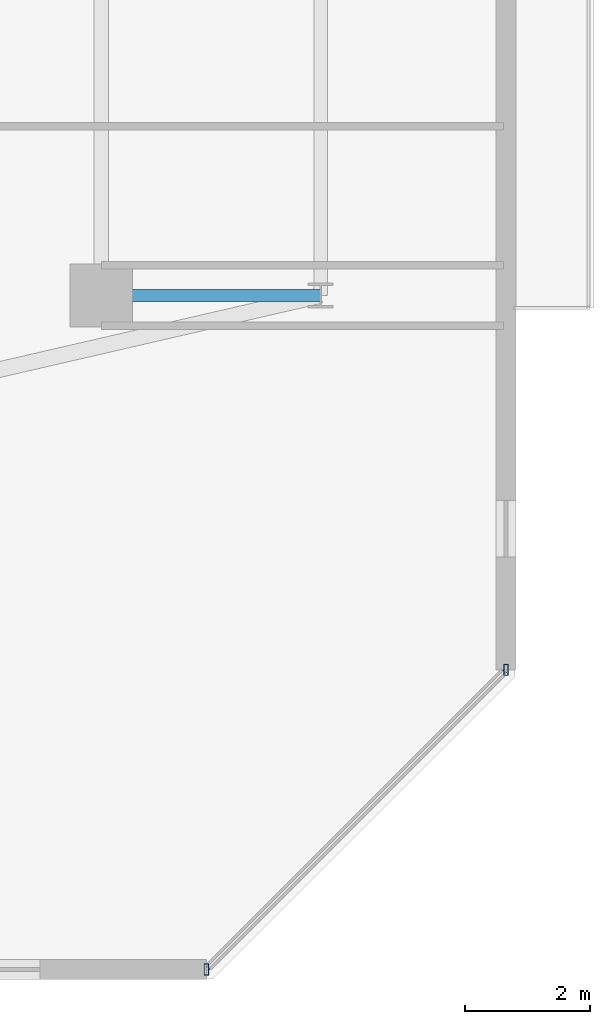
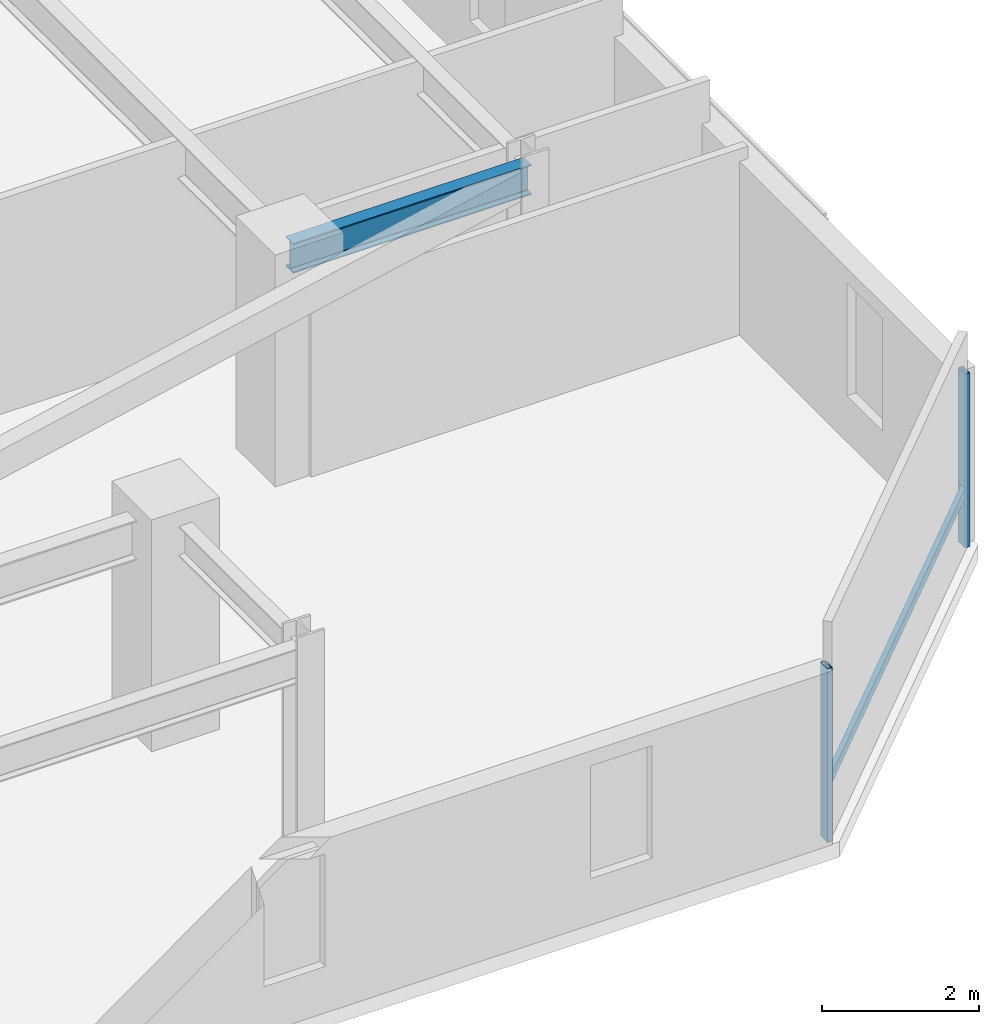
# One storey, part 12 of 32: 3 members, 1 beam, 1 element without a shape of its own.
"""IFC4 building model written with IfcOpenShell, lengths in metres."""

import ifcopenshell
import ifcopenshell.guid

model = None  # the IFC model being written
_history = None  # IfcOwnerHistory: only IFC2X3 demands one
_inside = {}  # id of a spatial element -> (the spatial element, [elements in it])
_under = {}  # id of a project, library or spatial element -> (it, [spatial elements below it])
_declared = {}  # id of a project -> (the project, [libraries it declares])
_typed = {}  # id of a type object -> (the type object, [elements of that type])
_made_of = {}  # id of a material, layer set ... -> (it, [elements and type objects made of it])


def new_model(schema):
    """Start an empty IFC model of exactly this schema.

    Asked for "IFC4X3", IfcOpenShell would pick the latest addendum, in which some entities
    have other attributes; the version numbers below select the first issue.
    IFC2X3 requires an IfcOwnerHistory on every rooted entity: one is made here for all.
    """
    global model, _history
    if schema == "IFC4X3":
        model = ifcopenshell.file(schema_version=(4, 3, 0, 0))
    else:
        model = ifcopenshell.file(schema=schema)
    _inside.clear()
    _under.clear()
    _declared.clear()
    _typed.clear()
    _made_of.clear()
    _history = None
    if model.schema == "IFC2X3":
        org = make("IfcOrganization", Name="unknown")
        user = make(
            "IfcPersonAndOrganization",
            ThePerson=make("IfcPerson", FamilyName="unknown"),
            TheOrganization=org,
        )
        app = make(
            "IfcApplication",
            ApplicationDeveloper=org,
            Version="unknown",
            ApplicationFullName="unknown",
            ApplicationIdentifier="unknown",
        )
        _history = make(
            "IfcOwnerHistory",
            OwningUser=user,
            OwningApplication=app,
            ChangeAction="ADDED",
            CreationDate=0,
        )
    return model


def make(cls, **values):
    """One entity of the class cls with the attributes given. An attribute that is None is left unset."""
    return model.create_entity(
        cls, **{name: value for name, value in values.items() if value is not None}
    )


def rooted(cls, **values):
    """An entity with a GlobalId (a new one), such as an element, a storey or a relation."""
    return make(cls, GlobalId=ifcopenshell.guid.new(), OwnerHistory=_history, **values)


def si_unit(unit_type, name, prefix=None):
    """IfcSIUnit, for example si_unit("LENGTHUNIT", "METRE", prefix="MILLI")."""
    return make("IfcSIUnit", UnitType=unit_type, Prefix=prefix, Name=name)


def assignment(units):
    """IfcUnitAssignment: the units of a project."""
    return None if units is None else make("IfcUnitAssignment", Units=units)


def point(xyz):
    """IfcCartesianPoint."""
    return None if xyz is None else make("IfcCartesianPoint", Coordinates=xyz)


def direction(xyz):
    """IfcDirection."""
    return None if xyz is None else make("IfcDirection", DirectionRatios=xyz)


def frame(location, z_axis=None, x_axis=None):
    """IfcAxis2Placement3D, a coordinate frame: its origin and axes. An axis left out is left unset."""
    return make(
        "IfcAxis2Placement3D",
        Location=point(location),
        Axis=direction(z_axis),
        RefDirection=direction(x_axis),
    )


def frame_2d(location, x_axis=None):
    """IfcAxis2Placement2D, a coordinate frame in the plane: its origin and x axis."""
    return make(
        "IfcAxis2Placement2D", Location=point(location), RefDirection=direction(x_axis)
    )


def origin():
    """The frame at (0, 0, 0) with its axes left unset."""
    return frame((0.0, 0.0, 0.0))


def origin_2d():
    """The frame at (0, 0) in the plane with its x axis left unset."""
    return frame_2d((0.0, 0.0))


def place(relative_to, where):
    """IfcLocalPlacement: puts the frame where relative to a parent placement (None: the world)."""
    return make(
        "IfcLocalPlacement", PlacementRelTo=relative_to, RelativePlacement=where
    )


def context(
    kind, dimensions, precision=None, world=None, true_north=None, identifier=None
):
    """IfcGeometricRepresentationContext, for example the 3D "Model" context."""
    return make(
        "IfcGeometricRepresentationContext",
        ContextIdentifier=identifier,
        ContextType=kind,
        CoordinateSpaceDimension=dimensions,
        Precision=precision,
        WorldCoordinateSystem=world,
        TrueNorth=true_north,
    )


def subcontext(parent, identifier, kind, view, scale=None):
    """IfcGeometricRepresentationSubContext, for example "Body" below "Model"."""
    return make(
        "IfcGeometricRepresentationSubContext",
        ContextIdentifier=identifier,
        ContextType=kind,
        ParentContext=parent,
        TargetScale=scale,
        TargetView=view,
    )


def project(units=None, contexts=None):
    """IfcProject with its units and contexts."""
    return rooted(
        "IfcProject",
        Name="project",
        RepresentationContexts=contexts,
        UnitsInContext=assignment(units),
    )


def spatial(cls, under=None, at=None, **own):
    """A site, building, storey or space (cls), placed at a placement, below another one or the project."""
    s = rooted(cls, ObjectPlacement=at, **own)
    if under is not None:
        _under.setdefault(under.id(), (under, []))[1].append(s)
    return s


def profile(cls, at=None, kind="AREA", **sizes):
    """A parametric profile (cls). Its sizes go by their IFC names, for example OverallWidth=200.0."""
    return make(cls, ProfileType=kind, Position=at, **sizes)


def hollow_rectangle(**sizes):
    """IfcRectangleHollowProfileDef."""
    return profile("IfcRectangleHollowProfileDef", **sizes)


def i_section(**sizes):
    """IfcIShapeProfileDef."""
    return profile("IfcIShapeProfileDef", **sizes)


def extrude(swept, where, along, depth):
    """IfcExtrudedAreaSolid: the profile swept, set in the frame where, extruded along a direction by depth."""
    return make(
        "IfcExtrudedAreaSolid",
        SweptArea=swept,
        Position=where,
        ExtrudedDirection=direction(along),
        Depth=depth,
    )


def shape(context_of_items, identifier, shape_type, items):
    """IfcShapeRepresentation: the items that make up one representation, for example the "Body"."""
    return make(
        "IfcShapeRepresentation",
        ContextOfItems=context_of_items,
        RepresentationIdentifier=identifier,
        RepresentationType=shape_type,
        Items=items,
    )


def material(Name=None, Category=None):
    """IfcMaterial."""
    return make("IfcMaterial", Name=Name, Category=Category)


def material_profile(
    of_material, cross_section, Name=None, Category=None, Priority=None
):
    """IfcMaterialProfile: a cross section and its material."""
    return make(
        "IfcMaterialProfile",
        Name=Name,
        Material=of_material,
        Profile=cross_section,
        Priority=Priority,
        Category=Category,
    )


def profile_set(profiles, Name=None, composite=None):
    """IfcMaterialProfileSet."""
    return make(
        "IfcMaterialProfileSet",
        Name=Name,
        MaterialProfiles=profiles,
        CompositeProfile=composite,
    )


def made_of(thing, what):
    """Note that an element or type object is made of a material, layer set ...; save() writes the relation."""
    if what is not None:
        _made_of.setdefault(what.id(), (what, []))[1].append(thing)
    return thing


def type_object(cls, material=None, **own):
    """A type object (cls), such as IfcWallType, which elements share."""
    return made_of(rooted(cls, **own), material)


def element(
    cls,
    number,
    at=None,
    inside=None,
    cuts=None,
    type_object=None,
    material=None,
    context=None,
    identifier="Body",
    shape_type=None,
    held_by="IfcProductDefinitionShape",
    body=None,
    shapes=None,
    **own,
):
    """One element of the class cls, such as IfcWall. Its Tag is "e" and its number.

    at: its placement. inside: the storey or other place that contains it. cuts: it is an
    opening in that element (IfcRelVoidsElement). A single representation is given by context,
    identifier, shape_type and body (its items); several are given by shapes. held_by: the class
    of the entity that holds the representations. save() writes the other relations.
    """
    e = rooted(cls, Tag="e%d" % number, ObjectPlacement=at, **own)
    if body is not None:
        shapes = [shape(context, identifier, shape_type, body)]
    if shapes is not None:
        e.Representation = make(held_by, Representations=shapes)
    if inside is not None:
        _inside.setdefault(inside.id(), (inside, []))[1].append(e)
    if cuts is not None:
        rooted(
            "IfcRelVoidsElement", RelatingBuildingElement=cuts, RelatedOpeningElement=e
        )
    if type_object is not None:
        _typed.setdefault(type_object.id(), (type_object, []))[1].append(e)
    return made_of(e, material)


def aggregate(whole, parts):
    """IfcRelAggregates: a whole, such as a stair, and the parts it consists of."""
    return rooted("IfcRelAggregates", RelatingObject=whole, RelatedObjects=parts)


def save(model, path):
    """Write the relations noted so far, then the file.

    IfcRelAggregates (storeys below a building ...), IfcRelContainedInSpatialStructure (elements
    in a storey), IfcRelDefinesByType, IfcRelAssociatesMaterial and IfcRelDeclares: one each for
    every whole, place, type object, material and project.
    """
    for whole, parts in _under.values():
        aggregate(whole, parts)
    for where, things in _inside.values():
        rooted(
            "IfcRelContainedInSpatialStructure",
            RelatedElements=things,
            RelatingStructure=where,
        )
    for kind, things in _typed.values():
        rooted("IfcRelDefinesByType", RelatedObjects=things, RelatingType=kind)
    for what, things in _made_of.values():
        rooted("IfcRelAssociatesMaterial", RelatedObjects=things, RelatingMaterial=what)
    for by, libraries in _declared.values():
        rooted("IfcRelDeclares", RelatingContext=by, RelatedDefinitions=libraries)
    model.write(path)


model = new_model("IFC4")

# Units and contexts
model_context = context("Model", 3, precision=1e-05, world=origin(), true_north=direction((0.0, 1.0)))
body_context = subcontext(model_context, "Body", "Model", "MODEL_VIEW")
ifc_project = project(units=[si_unit("LENGTHUNIT", "METRE"), si_unit("AREAUNIT", "SQUARE_METRE"), si_unit("VOLUMEUNIT", "CUBIC_METRE"), si_unit("PLANEANGLEUNIT", "RADIAN"), si_unit("MASSUNIT", "GRAM", prefix="KILO")], contexts=[model_context])

# Site, building, storey
site_placement = place(None, origin())
site = spatial("IfcSite", under=ifc_project, at=site_placement, CompositionType="ELEMENT")
building_placement = place(site_placement, origin())
building = spatial("IfcBuilding", under=site, at=building_placement, Name="Thornwick Lancets Civic Towers", CompositionType="ELEMENT")
storey_placement = place(building_placement, frame((0.0, 0.0, 247.5)))
storey = spatial("IfcBuildingStorey", under=building, at=storey_placement, Name="L66", CompositionType="ELEMENT", Elevation=247.5)

# Beam
ifc_material_1 = material(Name="Steel S355JR", Category="steel")
ifc_material_profile_1 = material_profile(ifc_material_1, i_section(OverallWidth=0.19189453125, OverallDepth=0.46337890625, WebThickness=0.010498046875, FlangeThickness=0.017578125, FilletRadius=0.01025390625, at=origin_2d()), Name="UKB 457x191x89")
ifc_profile_set_1 = profile_set([ifc_material_profile_1], Name="Steel S355JR")
beam_type = type_object("IfcBeamType", Name="BM_JOIST_457_89", PredefinedType="JOIST", material=ifc_profile_set_1)
beam_placement = place(storey_placement, frame((105.800048828125, 14.0, 3.12841796875), z_axis=(1.0, 0.0, 0.0), x_axis=(0.0, 1.0, 0.0)))
element("IfcBeam", 1, at=beam_placement, inside=storey, type_object=beam_type, Name="BM-RAD-L66-B01", PredefinedType="JOIST", context=body_context, shape_type="SweptSolid", body=[
    extrude(i_section(OverallWidth=0.19189453125, OverallDepth=0.46337890625, WebThickness=0.010498046875, FlangeThickness=0.017578125, FilletRadius=0.01025390625, at=origin_2d()), origin(), (0.0, 0.0, 1.0), 3.5),
])

# Curtain wall, members
ifc_material_2 = material(Name="High-zone chamfered-corner unitised glass curtain wall", Category="glass")
curtain_wall_type = type_object("IfcCurtainWallType", Name="CW_SYS_05", PredefinedType="NOTDEFINED", material=ifc_material_2)
curtain_wall_placement = place(storey_placement, origin())
curtain_wall = element("IfcCurtainWall", 2, at=curtain_wall_placement, inside=storey, type_object=curtain_wall_type, Name="L66 Curtain Wall CW-L66-B-E1", PredefinedType="NOTDEFINED")
ifc_material_3 = material(Name="Thermally broken bronze aluminium S355", Category="steel")
ifc_material_profile_2 = material_profile(ifc_material_3, hollow_rectangle(XDim=0.074951171875, YDim=0.179931640625, WallThickness=0.006103515625, at=origin_2d()), Name="RHS 180x75x6")
ifc_profile_set_2 = profile_set([ifc_material_profile_2], Name="Thermally broken bronze aluminium S355")
member_type_1 = type_object("IfcMemberType", Name="CW_MUL_180", PredefinedType="MULLION", material=ifc_profile_set_2)
member_1_placement = place(storey_placement, frame((107.47509765625, 3.24267578125, 0.0), z_axis=(0.0, 0.0, 1.0), x_axis=(1.0, 0.0, 0.0)))
member_1 = element("IfcMember", 3, at=member_1_placement, type_object=member_type_1, Name="CW-L66-B-E1 Mullion 0", PredefinedType="MULLION", context=body_context, shape_type="SweptSolid", body=[
    extrude(hollow_rectangle(XDim=0.074951171875, YDim=0.179931640625, WallThickness=0.006103515625, at=origin_2d()), origin(), (0.0, 0.0, 1.0), 2.699951171875),
])
member_2_placement = place(storey_placement, frame((112.25732421875, 8.02490234375, 0.0), z_axis=(0.0, 0.0, 1.0), x_axis=(1.0, 0.0, 0.0)))
member_2 = element("IfcMember", 4, at=member_2_placement, type_object=member_type_1, Name="CW-L66-B-E1 Mullion 1", PredefinedType="MULLION", context=body_context, shape_type="SweptSolid", body=[
    extrude(hollow_rectangle(XDim=0.074951171875, YDim=0.179931640625, WallThickness=0.006103515625, at=origin_2d()), origin(), (0.0, 0.0, 1.0), 2.699951171875),
])
ifc_material_profile_3 = material_profile(ifc_material_3, hollow_rectangle(XDim=0.074951171875, YDim=0.14990234375, WallThickness=0.0048828125, at=origin_2d()), Name="RHS 150x75x5")
ifc_profile_set_3 = profile_set([ifc_material_profile_3], Name="Thermally broken bronze aluminium S355")
member_type_2 = type_object("IfcMemberType", Name="CW_TRN_150", PredefinedType="USERDEFINED", material=ifc_profile_set_3)
member_3_placement = place(storey_placement, frame((107.4892578125, 3.256591796875, 0.85009765625), z_axis=(0.707106781187, 0.707106781187, 0.0), x_axis=(-0.707106781187, 0.707106781187, 0.0)))
member_3 = element("IfcMember", 5, at=member_3_placement, type_object=member_type_2, Name="CW-L66-B-E1 Transom 0", ObjectType="TRANSOM", PredefinedType="USERDEFINED", context=body_context, shape_type="SweptSolid", body=[
    extrude(hollow_rectangle(XDim=0.074951171875, YDim=0.14990234375, WallThickness=0.0048828125, at=origin_2d()), origin(), (0.0, 0.0, 1.0), 6.723388671875),
])
aggregate(curtain_wall, [member_1, member_2, member_3])

save(model, "model.ifc")
